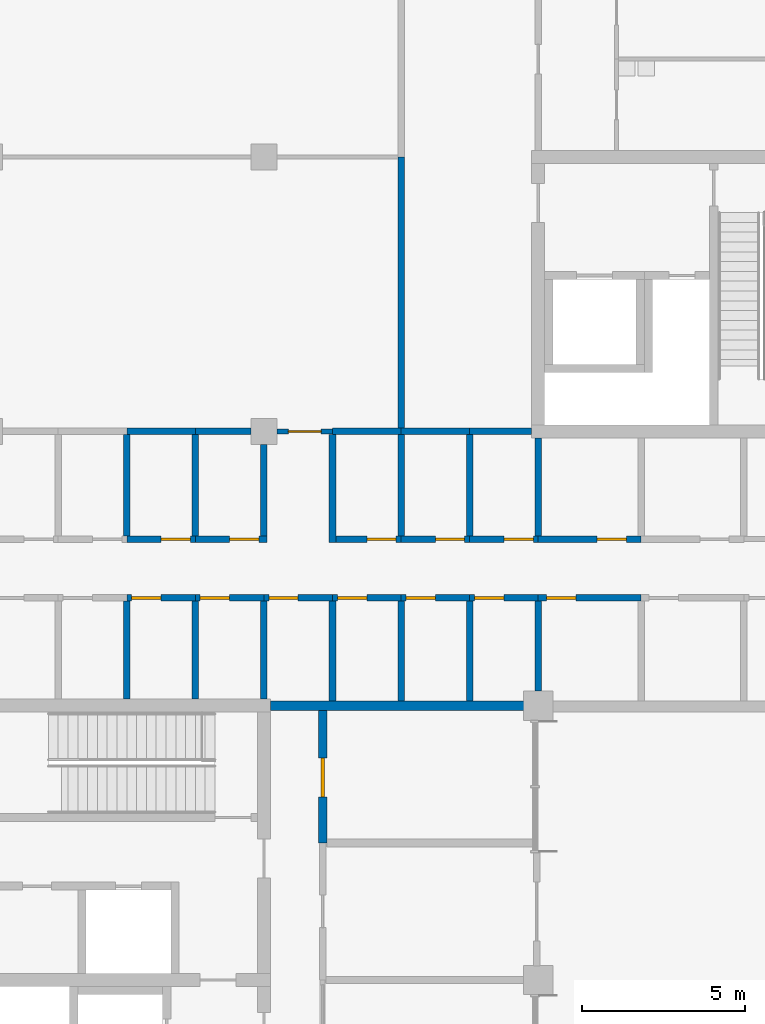
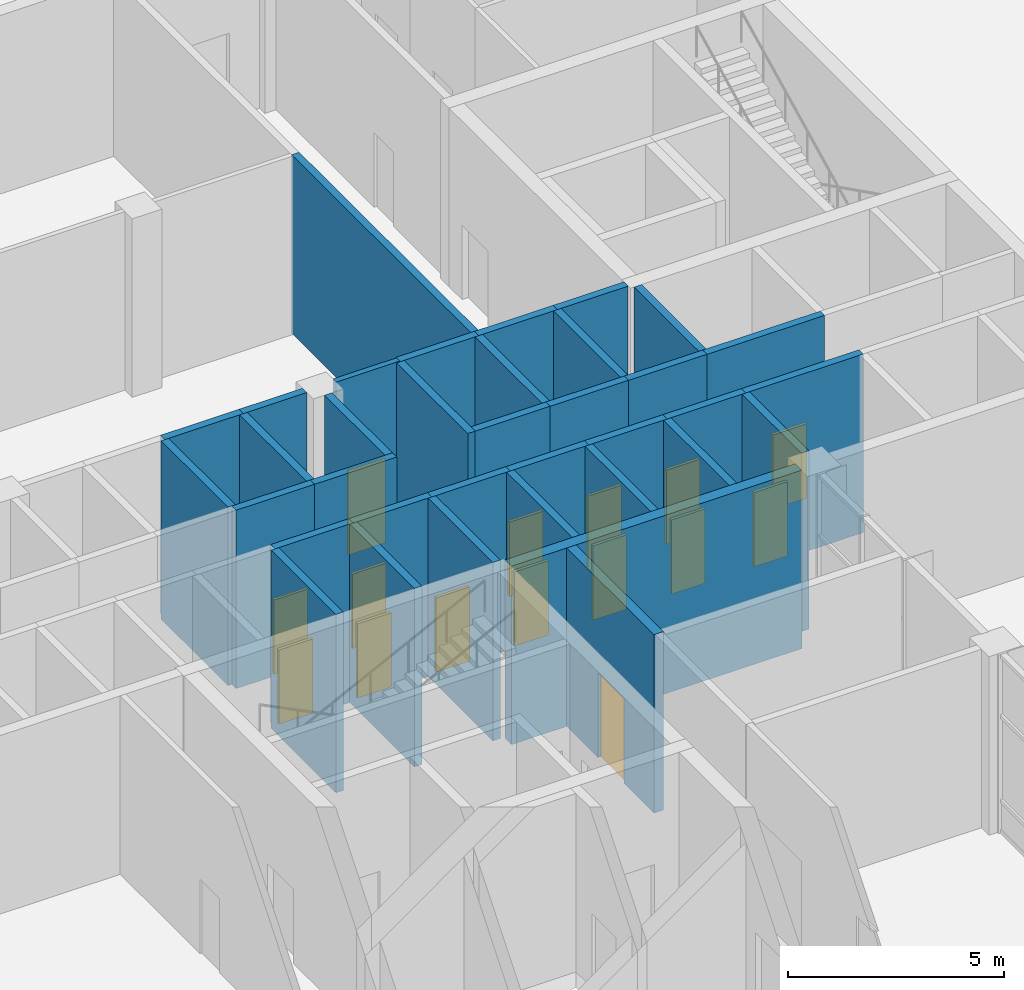
# One storey, part 48 of 76: 36 walls, 15 doors, 15 openings.
"""IFC4 building model written with IfcOpenShell, lengths in metres."""

from ifc_helpers import new_model, si_unit, direction, frame, frame_2d, origin, place, context, subcontext, project, spatial, rectangle, extrude, material, layer, layer_set, type_object, element, fill, save


model = new_model("IFC4")

# Units and contexts
model_context = context("Model", 3, precision=1e-05, world=origin(), true_north=direction((0.0, 1.0)))
body_context = subcontext(model_context, "Body", "Model", "MODEL_VIEW")
ifc_project = project(units=[si_unit("LENGTHUNIT", "METRE"), si_unit("AREAUNIT", "SQUARE_METRE"), si_unit("VOLUMEUNIT", "CUBIC_METRE"), si_unit("PLANEANGLEUNIT", "RADIAN"), si_unit("MASSUNIT", "GRAM", prefix="KILO")], contexts=[model_context])

# Site, building, storey
site_placement = place(None, origin())
site = spatial("IfcSite", under=ifc_project, at=site_placement, CompositionType="ELEMENT")
building_placement = place(site_placement, origin())
building = spatial("IfcBuilding", under=site, at=building_placement, Name="Hlaing Beacon Police Headquarters", CompositionType="ELEMENT")
storey_placement = place(building_placement, origin())
storey = spatial("IfcBuildingStorey", under=building, at=storey_placement, Name="L00", CompositionType="ELEMENT", Elevation=0.0)

# Wall
ifc_material_1 = material(Name="Concrete C40/50", Category="concrete")
ifc_layer_1 = layer(ifc_material_1, 0.300048828125)
ifc_layer_set_1 = layer_set([ifc_layer_1], Name="Concrete C40/50")
wall_type_1 = type_object("IfcWallType", Name="Compartment wall 300", PredefinedType="SOLIDWALL", material=ifc_layer_set_1)
wall_1_placement = place(storey_placement, frame((125.570068359375, 67.199951171875, 0.0), z_axis=(0.0, 0.0, 1.0), x_axis=(-1.0, 0.0, 0.0)))
element("IfcWall", 1, at=wall_1_placement, inside=storey, type_object=wall_type_1, Name="Compartment wall L00 N058", PredefinedType="SOLIDWALL", context=body_context, shape_type="SweptSolid", body=[
    extrude(rectangle(XDim=7.77001953125, YDim=0.300048828125, at=frame_2d((3.885009765625, 0.0))), origin(), (0.0, 0.0, 1.0), 5.050048828125),
])

# Wall, opening, door
ifc_material_2 = material(Name="Gypsum board partition")
ifc_layer_2 = layer(ifc_material_2, 0.14990234375)
ifc_layer_set_2 = layer_set([ifc_layer_2], Name="Gypsum board partition")
wall_type_2 = type_object("IfcWallType", Name="Corridor wall EI 30 150", PredefinedType="PARTITIONING", material=ifc_layer_set_2)
wall_2_placement = place(storey_placement, frame((118.0, 75.60009765625, 0.0), z_axis=(0.0, 0.0, 1.0), x_axis=(1.0, 0.0, 0.0)))
wall_2 = element("IfcWall", 2, at=wall_2_placement, inside=storey, type_object=wall_type_2, Name="Corridor wall EI 30 150", PredefinedType="PARTITIONING", context=body_context, shape_type="SweptSolid", body=[
    extrude(rectangle(XDim=1.699951171875, YDim=0.14990234375, at=frame_2d((0.85009765625, 0.0))), origin(), (0.0, 0.0, 1.0), 5.050048828125),
])
opening_1_placement = place(wall_2_placement, frame((0.35009765625, 0.0, 0.0)))
opening_1 = element("IfcOpeningElement", 3, at=opening_1_placement, cuts=wall_2, Name="Opening L00-076", PredefinedType="OPENING", context=body_context, shape_type="SweptSolid", body=[
    extrude(rectangle(XDim=1.0, YDim=2.39990234375, at=frame_2d((0.5, 1.199951171875))), frame((0.0, 0.0849609375, 0.0), z_axis=(0.0, -1.0, 0.0), x_axis=(1.0, 0.0, 0.0)), (0.0, 0.0, 1.0), 0.169921875),
])
ifc_material_3 = material(Name="Aluminium frame with safety glazing", Category="aluminium")
ifc_layer_3 = layer(ifc_material_3, 0.050048828125)
ifc_layer_set_3 = layer_set([ifc_layer_3], Name="Aluminium frame with safety glazing")
door_type_1 = type_object("IfcDoorType", Name="Fire glazed public door FD30S 1000x2400", OperationType="SINGLE_SWING_LEFT", PredefinedType="DOOR", material=ifc_layer_set_3)
door_1_placement = place(opening_1_placement, origin())
door_1 = element("IfcDoor", 4, at=door_1_placement, inside=storey, type_object=door_type_1, Name="Door Custody Suite Charge Desk and Booking Hall", OperationType="SINGLE_SWING_LEFT", OverallHeight=2.39990234375, OverallWidth=1.0, PredefinedType="DOOR", context=body_context, shape_type="SweptSolid", body=[
    extrude(rectangle(XDim=1.0, YDim=2.39990234375, at=frame_2d((0.5, 1.199951171875))), frame((0.0, 0.02490234375, 0.0), z_axis=(0.0, -1.0, 0.0), x_axis=(1.0, 0.0, 0.0)), (0.0, 0.0, 1.0), 0.050048828125),
])
fill(opening_1, door_1)

# Walls
ifc_material_4 = material(Name="Concrete blockwork 7.5 N/mm2", Category="masonry")
ifc_layer_4 = layer(ifc_material_4, 0.199951171875)
ifc_layer_set_4 = layer_set([ifc_layer_4], Name="Concrete blockwork 7.5 N/mm2")
wall_type_3 = type_object("IfcWallType", Name="Custody wall EI 60 200", PredefinedType="PARTITIONING", material=ifc_layer_set_4)
wall_3_placement = place(storey_placement, frame((113.39990234375, 75.60009765625, 0.0), z_axis=(0.0, 0.0, 1.0), x_axis=(1.0, 0.0, 0.0)))
element("IfcWall", 5, at=wall_3_placement, inside=storey, type_object=wall_type_3, Name="Custody wall EI 60 200", PredefinedType="PARTITIONING", context=body_context, shape_type="SweptSolid", body=[
    extrude(rectangle(XDim=2.10009765625, YDim=0.199951171875, at=frame_2d((1.050048828125, 0.0))), origin(), (0.0, 0.0, 1.0), 5.050048828125),
])
wall_4_placement = place(storey_placement, frame((115.5, 75.60009765625, 0.0), z_axis=(0.0, 0.0, 1.0), x_axis=(1.0, 0.0, 0.0)))
element("IfcWall", 6, at=wall_4_placement, inside=storey, type_object=wall_type_3, Name="Custody wall EI 60 200", PredefinedType="PARTITIONING", context=body_context, shape_type="SweptSolid", body=[
    extrude(rectangle(XDim=1.699951171875, YDim=0.199951171875, at=frame_2d((0.85009765625, 0.0))), origin(), (0.0, 0.0, 1.0), 5.050048828125),
])
wall_5_placement = place(storey_placement, frame((119.699951171875, 75.60009765625, 0.0), z_axis=(0.0, 0.0, 1.0), x_axis=(1.0, 0.0, 0.0)))
element("IfcWall", 7, at=wall_5_placement, inside=storey, type_object=wall_type_3, Name="Custody wall EI 60 200", PredefinedType="PARTITIONING", context=body_context, shape_type="SweptSolid", body=[
    extrude(rectangle(XDim=2.10009765625, YDim=0.199951171875, at=frame_2d((1.050048828125, 0.0))), origin(), (0.0, 0.0, 1.0), 5.050048828125),
])

# Wall, opening, door
wall_6_placement = place(storey_placement, frame((123.89990234375, 72.300048828125, 0.0), z_axis=(0.0, 0.0, 1.0), x_axis=(1.0, 0.0, 0.0)))
wall_6 = element("IfcWall", 8, at=wall_6_placement, inside=storey, type_object=wall_type_3, Name="Custody wall EI 60 200", PredefinedType="PARTITIONING", context=body_context, shape_type="SweptSolid", body=[
    extrude(rectangle(XDim=2.10009765625, YDim=0.199951171875, at=frame_2d((1.050048828125, 0.0))), origin(), (0.0, 0.0, 1.0), 5.050048828125),
])
opening_2_placement = place(wall_6_placement, frame((1.050048828125, 0.0, 0.0)))
opening_2 = element("IfcOpeningElement", 9, at=opening_2_placement, cuts=wall_6, Name="Opening L00-081", PredefinedType="OPENING", context=body_context, shape_type="SweptSolid", body=[
    extrude(rectangle(XDim=0.89990234375, YDim=2.10009765625, at=frame_2d((0.449951171875, 1.050048828125))), frame((0.0, 0.10986328125, 0.0), z_axis=(0.0, -1.0, 0.0), x_axis=(1.0, 0.0, 0.0)), (0.0, 0.0, 1.0), 0.219970703125),
])
ifc_material_5 = material(Name="Steel security door leaf", Category="steel")
ifc_layer_5 = layer(ifc_material_5, 0.080078125)
ifc_layer_set_5 = layer_set([ifc_layer_5], Name="Steel security door leaf")
door_type_2 = type_object("IfcDoorType", Name="Steel cell door FD30 900x2100", OperationType="SINGLE_SWING_LEFT", PredefinedType="DOOR", material=ifc_layer_set_5)
door_2_placement = place(opening_2_placement, origin())
door_2 = element("IfcDoor", 10, at=door_2_placement, inside=storey, type_object=door_type_2, Name="Door Cell 23", OperationType="SINGLE_SWING_LEFT", OverallHeight=2.10009765625, OverallWidth=0.89990234375, PredefinedType="DOOR", context=body_context, shape_type="SweptSolid", body=[
    extrude(rectangle(XDim=0.89990234375, YDim=2.10009765625, at=frame_2d((0.449951171875, 1.050048828125))), frame((0.0, 0.0400390625, 0.0), z_axis=(0.0, -1.0, 0.0), x_axis=(1.0, 0.0, 0.0)), (0.0, 0.0, 1.0), 0.080078125),
])
fill(opening_2, door_2)

wall_7_placement = place(storey_placement, frame((113.39990234375, 72.300048828125, 0.0), z_axis=(0.0, 0.0, 1.0), x_axis=(1.0, 0.0, 0.0)))
wall_7 = element("IfcWall", 11, at=wall_7_placement, inside=storey, type_object=wall_type_3, Name="Custody wall EI 60 200", PredefinedType="PARTITIONING", context=body_context, shape_type="SweptSolid", body=[
    extrude(rectangle(XDim=2.10009765625, YDim=0.199951171875, at=frame_2d((1.050048828125, 0.0))), origin(), (0.0, 0.0, 1.0), 5.050048828125),
])
opening_3_placement = place(wall_7_placement, frame((1.050048828125, 0.0, 0.0)))
opening_3 = element("IfcOpeningElement", 12, at=opening_3_placement, cuts=wall_7, Name="Opening L00-086", PredefinedType="OPENING", context=body_context, shape_type="SweptSolid", body=[
    extrude(rectangle(XDim=0.89990234375, YDim=2.10009765625, at=frame_2d((0.449951171875, 1.050048828125))), frame((0.0, 0.10986328125, 0.0), z_axis=(0.0, -1.0, 0.0), x_axis=(1.0, 0.0, 0.0)), (0.0, 0.0, 1.0), 0.219970703125),
])
door_3_placement = place(opening_3_placement, origin())
door_3 = element("IfcDoor", 13, at=door_3_placement, inside=storey, type_object=door_type_2, Name="Door Cell 19", OperationType="SINGLE_SWING_LEFT", OverallHeight=2.10009765625, OverallWidth=0.89990234375, PredefinedType="DOOR", context=body_context, shape_type="SweptSolid", body=[
    extrude(rectangle(XDim=0.89990234375, YDim=2.10009765625, at=frame_2d((0.449951171875, 1.050048828125))), frame((0.0, 0.0400390625, 0.0), z_axis=(0.0, -1.0, 0.0), x_axis=(1.0, 0.0, 0.0)), (0.0, 0.0, 1.0), 0.080078125),
])
fill(opening_3, door_3)

wall_8_placement = place(storey_placement, frame((115.5, 72.300048828125, 0.0), z_axis=(0.0, 0.0, 1.0), x_axis=(1.0, 0.0, 0.0)))
wall_8 = element("IfcWall", 14, at=wall_8_placement, inside=storey, type_object=wall_type_3, Name="Custody wall EI 60 200", PredefinedType="PARTITIONING", context=body_context, shape_type="SweptSolid", body=[
    extrude(rectangle(XDim=2.199951171875, YDim=0.199951171875, at=frame_2d((1.10009765625, 0.0))), origin(), (0.0, 0.0, 1.0), 5.050048828125),
])
opening_4_placement = place(wall_8_placement, frame((1.050048828125, 0.0, 0.0)))
opening_4 = element("IfcOpeningElement", 15, at=opening_4_placement, cuts=wall_8, Name="Opening L00-087", PredefinedType="OPENING", context=body_context, shape_type="SweptSolid", body=[
    extrude(rectangle(XDim=0.89990234375, YDim=2.10009765625, at=frame_2d((0.449951171875, 1.050048828125))), frame((0.0, 0.10986328125, 0.0), z_axis=(0.0, -1.0, 0.0), x_axis=(1.0, 0.0, 0.0)), (0.0, 0.0, 1.0), 0.219970703125),
])
door_4_placement = place(opening_4_placement, origin())
door_4 = element("IfcDoor", 16, at=door_4_placement, inside=storey, type_object=door_type_2, Name="Door Cell 20", OperationType="SINGLE_SWING_LEFT", OverallHeight=2.10009765625, OverallWidth=0.89990234375, PredefinedType="DOOR", context=body_context, shape_type="SweptSolid", body=[
    extrude(rectangle(XDim=0.89990234375, YDim=2.10009765625, at=frame_2d((0.449951171875, 1.050048828125))), frame((0.0, 0.0400390625, 0.0), z_axis=(0.0, -1.0, 0.0), x_axis=(1.0, 0.0, 0.0)), (0.0, 0.0, 1.0), 0.080078125),
])
fill(opening_4, door_4)

# Walls
wall_9_placement = place(storey_placement, frame((117.60009765625, 72.39990234375, 0.0), z_axis=(0.0, 0.0, 1.0), x_axis=(0.0, 1.0, 0.0)))
element("IfcWall", 17, at=wall_9_placement, inside=storey, type_object=wall_type_3, Name="Custody wall EI 60 200", PredefinedType="PARTITIONING", context=body_context, shape_type="SweptSolid", body=[
    extrude(rectangle(XDim=2.800048828125, YDim=0.199951171875, at=frame_2d((1.39990234375, 0.0))), origin(), (0.0, 0.0, 1.0), 5.050048828125),
])
wall_10_placement = place(storey_placement, frame((119.699951171875, 72.199951171875, 0.0), z_axis=(0.0, 0.0, 1.0), x_axis=(0.0, 1.0, 0.0)))
element("IfcWall", 18, at=wall_10_placement, inside=storey, type_object=wall_type_3, Name="Custody wall EI 60 200", PredefinedType="PARTITIONING", context=body_context, shape_type="SweptSolid", body=[
    extrude(rectangle(XDim=3.300048828125, YDim=0.199951171875, at=frame_2d((1.64990234375, 0.0))), origin(), (0.0, 0.0, 1.0), 5.050048828125),
])

# Wall, opening, door
wall_11_placement = place(storey_placement, frame((119.800048828125, 72.300048828125, 0.0), z_axis=(0.0, 0.0, 1.0), x_axis=(1.0, 0.0, 0.0)))
wall_11 = element("IfcWall", 19, at=wall_11_placement, inside=storey, type_object=wall_type_3, Name="Custody wall EI 60 200", PredefinedType="PARTITIONING", context=body_context, shape_type="SweptSolid", body=[
    extrude(rectangle(XDim=2.0, YDim=0.199951171875, at=frame_2d((1.0, 0.0))), origin(), (0.0, 0.0, 1.0), 5.050048828125),
])
opening_5_placement = place(wall_11_placement, frame((0.949951171875, 0.0, 0.0)))
opening_5 = element("IfcOpeningElement", 20, at=opening_5_placement, cuts=wall_11, Name="Opening L00-088", PredefinedType="OPENING", context=body_context, shape_type="SweptSolid", body=[
    extrude(rectangle(XDim=0.89990234375, YDim=2.10009765625, at=frame_2d((0.449951171875, 1.050048828125))), frame((0.0, 0.10986328125, 0.0), z_axis=(0.0, -1.0, 0.0), x_axis=(1.0, 0.0, 0.0)), (0.0, 0.0, 1.0), 0.219970703125),
])
door_5_placement = place(opening_5_placement, origin())
door_5 = element("IfcDoor", 21, at=door_5_placement, inside=storey, type_object=door_type_2, Name="Door Cell 21", OperationType="SINGLE_SWING_LEFT", OverallHeight=2.10009765625, OverallWidth=0.89990234375, PredefinedType="DOOR", context=body_context, shape_type="SweptSolid", body=[
    extrude(rectangle(XDim=0.89990234375, YDim=2.10009765625, at=frame_2d((0.449951171875, 1.050048828125))), frame((0.0, 0.0400390625, 0.0), z_axis=(0.0, -1.0, 0.0), x_axis=(1.0, 0.0, 0.0)), (0.0, 0.0, 1.0), 0.080078125),
])
fill(opening_5, door_5)

wall_12_placement = place(storey_placement, frame((121.800048828125, 72.300048828125, 0.0), z_axis=(0.0, 0.0, 1.0), x_axis=(1.0, 0.0, 0.0)))
wall_12 = element("IfcWall", 22, at=wall_12_placement, inside=storey, type_object=wall_type_3, Name="Custody wall EI 60 200", PredefinedType="PARTITIONING", context=body_context, shape_type="SweptSolid", body=[
    extrude(rectangle(XDim=2.099853515625, YDim=0.199951171875, at=frame_2d((1.0498046875, 0.0))), origin(), (0.0, 0.0, 1.0), 5.050048828125),
])
opening_6_placement = place(wall_12_placement, frame((1.050048828125, 0.0, 0.0)))
opening_6 = element("IfcOpeningElement", 23, at=opening_6_placement, cuts=wall_12, Name="Opening L00-089", PredefinedType="OPENING", context=body_context, shape_type="SweptSolid", body=[
    extrude(rectangle(XDim=0.89990234375, YDim=2.10009765625, at=frame_2d((0.449951171875, 1.050048828125))), frame((0.0, 0.10986328125, 0.0), z_axis=(0.0, -1.0, 0.0), x_axis=(1.0, 0.0, 0.0)), (0.0, 0.0, 1.0), 0.219970703125),
])
door_6_placement = place(opening_6_placement, origin())
door_6 = element("IfcDoor", 24, at=door_6_placement, inside=storey, type_object=door_type_2, Name="Door Cell 22", OperationType="SINGLE_SWING_LEFT", OverallHeight=2.10009765625, OverallWidth=0.89990234375, PredefinedType="DOOR", context=body_context, shape_type="SweptSolid", body=[
    extrude(rectangle(XDim=0.89990234375, YDim=2.10009765625, at=frame_2d((0.449951171875, 1.050048828125))), frame((0.0, 0.0400390625, 0.0), z_axis=(0.0, -1.0, 0.0), x_axis=(1.0, 0.0, 0.0)), (0.0, 0.0, 1.0), 0.080078125),
])
fill(opening_6, door_6)

wall_13_placement = place(storey_placement, frame((121.800048828125, 70.5, 0.0), z_axis=(0.0, 0.0, 1.0), x_axis=(1.0, 0.0, 0.0)))
wall_13 = element("IfcWall", 25, at=wall_13_placement, inside=storey, type_object=wall_type_3, Name="Custody wall EI 60 200", PredefinedType="PARTITIONING", context=body_context, shape_type="SweptSolid", body=[
    extrude(rectangle(XDim=2.099853515625, YDim=0.199951171875, at=frame_2d((1.0498046875, 0.0))), origin(), (0.0, 0.0, 1.0), 5.050048828125),
])
opening_7_placement = place(wall_13_placement, frame((0.14990234375, 0.0, 0.0)))
opening_7 = element("IfcOpeningElement", 26, at=opening_7_placement, cuts=wall_13, Name="Opening L00-092", PredefinedType="OPENING", context=body_context, shape_type="SweptSolid", body=[
    extrude(rectangle(XDim=0.89990234375, YDim=2.10009765625, at=frame_2d((0.449951171875, 1.050048828125))), frame((0.0, 0.10986328125, 0.0), z_axis=(0.0, -1.0, 0.0), x_axis=(1.0, 0.0, 0.0)), (0.0, 0.0, 1.0), 0.219970703125),
])
door_7_placement = place(opening_7_placement, frame((0.89990234375, 0.0, 0.0), z_axis=(0.0, 0.0, 1.0), x_axis=(-1.0, 0.0, 0.0)))
door_7 = element("IfcDoor", 27, at=door_7_placement, inside=storey, type_object=door_type_2, Name="Door Cell 11", OperationType="SINGLE_SWING_LEFT", OverallHeight=2.10009765625, OverallWidth=0.89990234375, PredefinedType="DOOR", context=body_context, shape_type="SweptSolid", body=[
    extrude(rectangle(XDim=0.89990234375, YDim=2.10009765625, at=frame_2d((0.449951171875, 1.050048828125))), frame((0.0, 0.0400390625, 0.0), z_axis=(0.0, -1.0, 0.0), x_axis=(1.0, 0.0, 0.0)), (0.0, 0.0, 1.0), 0.080078125),
])
fill(opening_7, door_7)

wall_14_placement = place(storey_placement, frame((123.89990234375, 70.5, 0.0), z_axis=(0.0, 0.0, 1.0), x_axis=(1.0, 0.0, 0.0)))
wall_14 = element("IfcWall", 28, at=wall_14_placement, inside=storey, type_object=wall_type_3, Name="Custody wall EI 60 200", PredefinedType="PARTITIONING", context=body_context, shape_type="SweptSolid", body=[
    extrude(rectangle(XDim=2.10009765625, YDim=0.199951171875, at=frame_2d((1.050048828125, 0.0))), origin(), (0.0, 0.0, 1.0), 5.050048828125),
])
opening_8_placement = place(wall_14_placement, frame((0.14990234375, 0.0, 0.0)))
opening_8 = element("IfcOpeningElement", 29, at=opening_8_placement, cuts=wall_14, Name="Opening L00-093", PredefinedType="OPENING", context=body_context, shape_type="SweptSolid", body=[
    extrude(rectangle(XDim=0.89990234375, YDim=2.10009765625, at=frame_2d((0.449951171875, 1.050048828125))), frame((0.0, 0.10986328125, 0.0), z_axis=(0.0, -1.0, 0.0), x_axis=(1.0, 0.0, 0.0)), (0.0, 0.0, 1.0), 0.219970703125),
])
door_8_placement = place(opening_8_placement, frame((0.89990234375, 0.0, 0.0), z_axis=(0.0, 0.0, 1.0), x_axis=(-1.0, 0.0, 0.0)))
door_8 = element("IfcDoor", 30, at=door_8_placement, inside=storey, type_object=door_type_2, Name="Door Cell 12", OperationType="SINGLE_SWING_LEFT", OverallHeight=2.10009765625, OverallWidth=0.89990234375, PredefinedType="DOOR", context=body_context, shape_type="SweptSolid", body=[
    extrude(rectangle(XDim=0.89990234375, YDim=2.10009765625, at=frame_2d((0.449951171875, 1.050048828125))), frame((0.0, 0.0400390625, 0.0), z_axis=(0.0, -1.0, 0.0), x_axis=(1.0, 0.0, 0.0)), (0.0, 0.0, 1.0), 0.080078125),
])
fill(opening_8, door_8)

wall_15_placement = place(storey_placement, frame((113.39990234375, 70.5, 0.0), z_axis=(0.0, 0.0, 1.0), x_axis=(1.0, 0.0, 0.0)))
wall_15 = element("IfcWall", 31, at=wall_15_placement, inside=storey, type_object=wall_type_3, Name="Custody wall EI 60 200", PredefinedType="PARTITIONING", context=body_context, shape_type="SweptSolid", body=[
    extrude(rectangle(XDim=2.10009765625, YDim=0.199951171875, at=frame_2d((1.050048828125, 0.0))), origin(), (0.0, 0.0, 1.0), 5.050048828125),
])
opening_9_placement = place(wall_15_placement, frame((0.14990234375, 0.0, 0.0)))
opening_9 = element("IfcOpeningElement", 32, at=opening_9_placement, cuts=wall_15, Name="Opening L00-098", PredefinedType="OPENING", context=body_context, shape_type="SweptSolid", body=[
    extrude(rectangle(XDim=0.89990234375, YDim=2.10009765625, at=frame_2d((0.449951171875, 1.050048828125))), frame((0.0, 0.10986328125, 0.0), z_axis=(0.0, -1.0, 0.0), x_axis=(1.0, 0.0, 0.0)), (0.0, 0.0, 1.0), 0.219970703125),
])
door_9_placement = place(opening_9_placement, frame((0.89990234375, 0.0, 0.0), z_axis=(0.0, 0.0, 1.0), x_axis=(-1.0, 0.0, 0.0)))
door_9 = element("IfcDoor", 33, at=door_9_placement, inside=storey, type_object=door_type_2, Name="Door Cell 07", OperationType="SINGLE_SWING_LEFT", OverallHeight=2.10009765625, OverallWidth=0.89990234375, PredefinedType="DOOR", context=body_context, shape_type="SweptSolid", body=[
    extrude(rectangle(XDim=0.89990234375, YDim=2.10009765625, at=frame_2d((0.449951171875, 1.050048828125))), frame((0.0, 0.0400390625, 0.0), z_axis=(0.0, -1.0, 0.0), x_axis=(1.0, 0.0, 0.0)), (0.0, 0.0, 1.0), 0.080078125),
])
fill(opening_9, door_9)

wall_16_placement = place(storey_placement, frame((115.5, 70.5, 0.0), z_axis=(0.0, 0.0, 1.0), x_axis=(1.0, 0.0, 0.0)))
wall_16 = element("IfcWall", 34, at=wall_16_placement, inside=storey, type_object=wall_type_3, Name="Custody wall EI 60 200", PredefinedType="PARTITIONING", context=body_context, shape_type="SweptSolid", body=[
    extrude(rectangle(XDim=2.10009765625, YDim=0.199951171875, at=frame_2d((1.050048828125, 0.0))), origin(), (0.0, 0.0, 1.0), 5.050048828125),
])
opening_10_placement = place(wall_16_placement, frame((0.14990234375, 0.0, 0.0)))
opening_10 = element("IfcOpeningElement", 35, at=opening_10_placement, cuts=wall_16, Name="Opening L00-099", PredefinedType="OPENING", context=body_context, shape_type="SweptSolid", body=[
    extrude(rectangle(XDim=0.89990234375, YDim=2.10009765625, at=frame_2d((0.449951171875, 1.050048828125))), frame((0.0, 0.10986328125, 0.0), z_axis=(0.0, -1.0, 0.0), x_axis=(1.0, 0.0, 0.0)), (0.0, 0.0, 1.0), 0.219970703125),
])
door_10_placement = place(opening_10_placement, frame((0.89990234375, 0.0, 0.0), z_axis=(0.0, 0.0, 1.0), x_axis=(-1.0, 0.0, 0.0)))
door_10 = element("IfcDoor", 36, at=door_10_placement, inside=storey, type_object=door_type_2, Name="Door Cell 08", OperationType="SINGLE_SWING_LEFT", OverallHeight=2.10009765625, OverallWidth=0.89990234375, PredefinedType="DOOR", context=body_context, shape_type="SweptSolid", body=[
    extrude(rectangle(XDim=0.89990234375, YDim=2.10009765625, at=frame_2d((0.449951171875, 1.050048828125))), frame((0.0, 0.0400390625, 0.0), z_axis=(0.0, -1.0, 0.0), x_axis=(1.0, 0.0, 0.0)), (0.0, 0.0, 1.0), 0.080078125),
])
fill(opening_10, door_10)

wall_17_placement = place(storey_placement, frame((117.60009765625, 70.5, 0.0), z_axis=(0.0, 0.0, 1.0), x_axis=(1.0, 0.0, 0.0)))
wall_17 = element("IfcWall", 37, at=wall_17_placement, inside=storey, type_object=wall_type_3, Name="Custody wall EI 60 200", PredefinedType="PARTITIONING", context=body_context, shape_type="SweptSolid", body=[
    extrude(rectangle(XDim=2.099853515625, YDim=0.199951171875, at=frame_2d((1.0498046875, 0.0))), origin(), (0.0, 0.0, 1.0), 5.050048828125),
])
opening_11_placement = place(wall_17_placement, frame((0.14990234375, 0.0, 0.0)))
opening_11 = element("IfcOpeningElement", 38, at=opening_11_placement, cuts=wall_17, Name="Opening L00-100", PredefinedType="OPENING", context=body_context, shape_type="SweptSolid", body=[
    extrude(rectangle(XDim=0.89990234375, YDim=2.10009765625, at=frame_2d((0.449951171875, 1.050048828125))), frame((0.0, 0.10986328125, 0.0), z_axis=(0.0, -1.0, 0.0), x_axis=(1.0, 0.0, 0.0)), (0.0, 0.0, 1.0), 0.219970703125),
])
door_11_placement = place(opening_11_placement, origin())
door_11 = element("IfcDoor", 39, at=door_11_placement, inside=storey, type_object=door_type_2, Name="Door Cell 09", OperationType="SINGLE_SWING_RIGHT", OverallHeight=2.10009765625, OverallWidth=0.89990234375, PredefinedType="DOOR", context=body_context, shape_type="SweptSolid", body=[
    extrude(rectangle(XDim=0.89990234375, YDim=2.10009765625, at=frame_2d((0.449951171875, 1.050048828125))), frame((0.0, 0.0400390625, 0.0), z_axis=(0.0, -1.0, 0.0), x_axis=(1.0, 0.0, 0.0)), (0.0, 0.0, 1.0), 0.080078125),
])
fill(opening_11, door_11)

wall_18_placement = place(storey_placement, frame((119.699951171875, 70.5, 0.0), z_axis=(0.0, 0.0, 1.0), x_axis=(1.0, 0.0, 0.0)))
wall_18 = element("IfcWall", 40, at=wall_18_placement, inside=storey, type_object=wall_type_3, Name="Custody wall EI 60 200", PredefinedType="PARTITIONING", context=body_context, shape_type="SweptSolid", body=[
    extrude(rectangle(XDim=2.10009765625, YDim=0.199951171875, at=frame_2d((1.050048828125, 0.0))), origin(), (0.0, 0.0, 1.0), 5.050048828125),
])
opening_12_placement = place(wall_18_placement, frame((0.14990234375, 0.0, 0.0)))
opening_12 = element("IfcOpeningElement", 41, at=opening_12_placement, cuts=wall_18, Name="Opening L00-101", PredefinedType="OPENING", context=body_context, shape_type="SweptSolid", body=[
    extrude(rectangle(XDim=0.89990234375, YDim=2.10009765625, at=frame_2d((0.449951171875, 1.050048828125))), frame((0.0, 0.10986328125, 0.0), z_axis=(0.0, -1.0, 0.0), x_axis=(1.0, 0.0, 0.0)), (0.0, 0.0, 1.0), 0.219970703125),
])
door_12_placement = place(opening_12_placement, frame((0.89990234375, 0.0, 0.0), z_axis=(0.0, 0.0, 1.0), x_axis=(-1.0, 0.0, 0.0)))
door_12 = element("IfcDoor", 42, at=door_12_placement, inside=storey, type_object=door_type_2, Name="Door Cell 10", OperationType="SINGLE_SWING_LEFT", OverallHeight=2.10009765625, OverallWidth=0.89990234375, PredefinedType="DOOR", context=body_context, shape_type="SweptSolid", body=[
    extrude(rectangle(XDim=0.89990234375, YDim=2.10009765625, at=frame_2d((0.449951171875, 1.050048828125))), frame((0.0, 0.0400390625, 0.0), z_axis=(0.0, -1.0, 0.0), x_axis=(1.0, 0.0, 0.0)), (0.0, 0.0, 1.0), 0.080078125),
])
fill(opening_12, door_12)

wall_19_placement = place(storey_placement, frame((126.0, 72.300048828125, 0.0), z_axis=(0.0, 0.0, 1.0), x_axis=(1.0, 0.0, 0.0)))
wall_19 = element("IfcWall", 43, at=wall_19_placement, inside=storey, type_object=wall_type_3, Name="Custody wall EI 60 200", PredefinedType="PARTITIONING", context=body_context, shape_type="SweptSolid", body=[
    extrude(rectangle(XDim=3.14990234375, YDim=0.199951171875, at=frame_2d((1.574951171875, 0.0))), origin(), (0.0, 0.0, 1.0), 5.050048828125),
])
opening_13_placement = place(wall_19_placement, frame((1.800048828125, 0.0, 0.0)))
opening_13 = element("IfcOpeningElement", 44, at=opening_13_placement, cuts=wall_19, Name="Opening L00-103", PredefinedType="OPENING", context=body_context, shape_type="SweptSolid", body=[
    extrude(rectangle(XDim=0.89990234375, YDim=2.10009765625, at=frame_2d((0.449951171875, 1.050048828125))), frame((0.0, 0.10986328125, 0.0), z_axis=(0.0, -1.0, 0.0), x_axis=(1.0, 0.0, 0.0)), (0.0, 0.0, 1.0), 0.219970703125),
])
door_13_placement = place(opening_13_placement, origin())
door_13 = element("IfcDoor", 45, at=door_13_placement, inside=storey, type_object=door_type_2, Name="Door Juvenile Cell 3", OperationType="SINGLE_SWING_LEFT", OverallHeight=2.10009765625, OverallWidth=0.89990234375, PredefinedType="DOOR", context=body_context, shape_type="SweptSolid", body=[
    extrude(rectangle(XDim=0.89990234375, YDim=2.10009765625, at=frame_2d((0.449951171875, 1.050048828125))), frame((0.0, 0.0400390625, 0.0), z_axis=(0.0, -1.0, 0.0), x_axis=(1.0, 0.0, 0.0)), (0.0, 0.0, 1.0), 0.080078125),
])
fill(opening_13, door_13)

wall_20_placement = place(storey_placement, frame((126.0, 70.5, 0.0), z_axis=(0.0, 0.0, 1.0), x_axis=(1.0, 0.0, 0.0)))
wall_20 = element("IfcWall", 46, at=wall_20_placement, inside=storey, type_object=wall_type_3, Name="Custody wall EI 60 200", PredefinedType="PARTITIONING", context=body_context, shape_type="SweptSolid", body=[
    extrude(rectangle(XDim=3.14990234375, YDim=0.199951171875, at=frame_2d((1.574951171875, 0.0))), origin(), (0.0, 0.0, 1.0), 5.050048828125),
])
opening_14_placement = place(wall_20_placement, frame((0.25, 0.0, 0.0)))
opening_14 = element("IfcOpeningElement", 47, at=opening_14_placement, cuts=wall_20, Name="Opening L00-105", PredefinedType="OPENING", context=body_context, shape_type="SweptSolid", body=[
    extrude(rectangle(XDim=0.89990234375, YDim=2.10009765625, at=frame_2d((0.449951171875, 1.050048828125))), frame((0.0, 0.10986328125, 0.0), z_axis=(0.0, -1.0, 0.0), x_axis=(1.0, 0.0, 0.0)), (0.0, 0.0, 1.0), 0.219970703125),
])
door_14_placement = place(opening_14_placement, frame((0.89990234375, 0.0, 0.0), z_axis=(0.0, 0.0, 1.0), x_axis=(-1.0, 0.0, 0.0)))
door_14 = element("IfcDoor", 48, at=door_14_placement, inside=storey, type_object=door_type_2, Name="Door Juvenile Cell 1", OperationType="SINGLE_SWING_LEFT", OverallHeight=2.10009765625, OverallWidth=0.89990234375, PredefinedType="DOOR", context=body_context, shape_type="SweptSolid", body=[
    extrude(rectangle(XDim=0.89990234375, YDim=2.10009765625, at=frame_2d((0.449951171875, 1.050048828125))), frame((0.0, 0.0400390625, 0.0), z_axis=(0.0, -1.0, 0.0), x_axis=(1.0, 0.0, 0.0)), (0.0, 0.0, 1.0), 0.080078125),
])
fill(opening_14, door_14)

# Walls
wall_21_placement = place(storey_placement, frame((123.89990234375, 72.39990234375, 0.0), z_axis=(0.0, 0.0, 1.0), x_axis=(0.0, 1.0, 0.0)))
element("IfcWall", 49, at=wall_21_placement, inside=storey, type_object=wall_type_3, Name="Custody wall EI 60 200", PredefinedType="PARTITIONING", context=body_context, shape_type="SweptSolid", body=[
    extrude(rectangle(XDim=3.10009765625, YDim=0.199951171875, at=frame_2d((1.550048828125, 0.0))), origin(), (0.0, 0.0, 1.0), 5.050048828125),
])
wall_22_placement = place(storey_placement, frame((126.0, 72.39990234375, 0.0), z_axis=(0.0, 0.0, 1.0), x_axis=(0.0, 1.0, 0.0)))
element("IfcWall", 50, at=wall_22_placement, inside=storey, type_object=wall_type_3, Name="Custody wall EI 60 200", PredefinedType="PARTITIONING", context=body_context, shape_type="SweptSolid", body=[
    extrude(rectangle(XDim=3.0, YDim=0.199951171875, at=frame_2d((1.5, 0.0))), origin(), (0.0, 0.0, 1.0), 5.050048828125),
])
for number, where, z_axis, x_axis, name in (
    (51, (113.39990234375, 72.39990234375, 0.0), (0.0, 0.0, 1.0), (0.0, 1.0, 0.0), "Custody wall EI 60 200"),
    (52, (115.5, 72.39990234375, 0.0), (0.0, 0.0, 1.0), (0.0, 1.0, 0.0), "Custody wall EI 60 200"),
    (53, (121.800048828125, 72.39990234375, 0.0), (0.0, 0.0, 1.0), (0.0, 1.0, 0.0), "Custody wall EI 60 200"),
):
    element("IfcWall", number, at=place(storey_placement, frame(where, z_axis=z_axis, x_axis=x_axis)), inside=storey, type_object=wall_type_3, Name=name, PredefinedType="PARTITIONING", context=body_context, shape_type="SweptSolid", body=[
        extrude(rectangle(XDim=3.10009765625, YDim=0.199951171875, at=frame_2d((1.550048828125, 0.0))), origin(), (0.0, 0.0, 1.0), 5.050048828125),
    ])
for number, where, z_axis, x_axis, name in (
    (54, (123.89990234375, 67.35009765625, 0.0), (0.0, 0.0, 1.0), (0.0, 1.0, 0.0), "Custody wall EI 60 200"),
    (55, (121.800048828125, 67.35009765625, 0.0), (0.0, 0.0, 1.0), (0.0, 1.0, 0.0), "Custody wall EI 60 200"),
):
    element("IfcWall", number, at=place(storey_placement, frame(where, z_axis=z_axis, x_axis=x_axis)), inside=storey, type_object=wall_type_3, Name=name, PredefinedType="PARTITIONING", context=body_context, shape_type="SweptSolid", body=[
        extrude(rectangle(XDim=3.0498046875, YDim=0.199951171875, at=frame_2d((1.52490234375, 0.0))), origin(), (0.0, 0.0, 1.0), 5.050048828125),
    ])
wall_23_placement = place(storey_placement, frame((126.0, 67.64990234375, 0.0), z_axis=(0.0, 0.0, 1.0), x_axis=(0.0, 1.0, 0.0)))
element("IfcWall", 56, at=wall_23_placement, inside=storey, type_object=wall_type_3, Name="Custody wall EI 60 200", PredefinedType="PARTITIONING", context=body_context, shape_type="SweptSolid", body=[
    extrude(rectangle(XDim=2.75, YDim=0.199951171875, at=frame_2d((1.375, 0.0))), origin(), (0.0, 0.0, 1.0), 5.050048828125),
])
for number, where, z_axis, x_axis, name in (
    (57, (113.39990234375, 67.39990234375, 0.0), (0.0, 0.0, 1.0), (0.0, 1.0, 0.0), "Custody wall EI 60 200"),
    (58, (115.5, 67.39990234375, 0.0), (0.0, 0.0, 1.0), (0.0, 1.0, 0.0), "Custody wall EI 60 200"),
    (59, (117.60009765625, 67.39990234375, 0.0), (0.0, 0.0, 1.0), (0.0, 1.0, 0.0), "Custody wall EI 60 200"),
):
    element("IfcWall", number, at=place(storey_placement, frame(where, z_axis=z_axis, x_axis=x_axis)), inside=storey, type_object=wall_type_3, Name=name, PredefinedType="PARTITIONING", context=body_context, shape_type="SweptSolid", body=[
        extrude(rectangle(XDim=3.0, YDim=0.199951171875, at=frame_2d((1.5, 0.0))), origin(), (0.0, 0.0, 1.0), 5.050048828125),
    ])
wall_24_placement = place(storey_placement, frame((119.699951171875, 67.35009765625, 0.0), z_axis=(0.0, 0.0, 1.0), x_axis=(0.0, 1.0, 0.0)))
element("IfcWall", 60, at=wall_24_placement, inside=storey, type_object=wall_type_3, Name="Custody wall EI 60 200", PredefinedType="PARTITIONING", context=body_context, shape_type="SweptSolid", body=[
    extrude(rectangle(XDim=3.0498046875, YDim=0.199951171875, at=frame_2d((1.52490234375, 0.0))), origin(), (0.0, 0.0, 1.0), 5.050048828125),
])
ifc_material_6 = material(Name="Concrete blockwork 7.5 N/mm2", Category="masonry")
ifc_layer_6 = layer(ifc_material_6, 0.199951171875)
ifc_layer_set_6 = layer_set([ifc_layer_6], Name="Concrete blockwork 7.5 N/mm2")
wall_type_4 = type_object("IfcWallType", Name="Lobby wall EI 120 200", PredefinedType="PARTITIONING", material=ifc_layer_set_6)
wall_25_placement = place(storey_placement, frame((121.800048828125, 75.699951171875, 0.0), z_axis=(0.0, 0.0, 1.0), x_axis=(0.0, 1.0, 0.0)))
element("IfcWall", 61, at=wall_25_placement, inside=storey, type_object=wall_type_4, Name="Lobby wall EI 120 200", PredefinedType="PARTITIONING", context=body_context, shape_type="SweptSolid", body=[
    extrude(rectangle(XDim=8.300048828125, YDim=0.199951171875, at=frame_2d((4.14990234375, 0.0))), origin(), (0.0, 0.0, 1.0), 5.050048828125),
])
wall_26_placement = place(storey_placement, frame((123.89990234375, 75.60009765625, 0.0), z_axis=(0.0, 0.0, 1.0), x_axis=(1.0, 0.0, 0.0)))
element("IfcWall", 62, at=wall_26_placement, inside=storey, type_object=wall_type_4, Name="Lobby wall EI 120 200", PredefinedType="PARTITIONING", context=body_context, shape_type="SweptSolid", body=[
    extrude(rectangle(XDim=1.900146484375, YDim=0.199951171875, at=frame_2d((0.9501953125, 0.0))), origin(), (0.0, 0.0, 1.0), 5.050048828125),
])
wall_27_placement = place(storey_placement, frame((121.800048828125, 75.60009765625, 0.0), z_axis=(0.0, 0.0, 1.0), x_axis=(1.0, 0.0, 0.0)))
element("IfcWall", 63, at=wall_27_placement, inside=storey, type_object=wall_type_4, Name="Lobby wall EI 120 200", PredefinedType="PARTITIONING", context=body_context, shape_type="SweptSolid", body=[
    extrude(rectangle(XDim=2.099853515625, YDim=0.199951171875, at=frame_2d((1.0498046875, 0.0))), origin(), (0.0, 0.0, 1.0), 5.050048828125),
])

# Wall, opening, door
ifc_material_7 = material(Name="Concrete blockwork 7.5 N/mm2", Category="masonry")
ifc_layer_7 = layer(ifc_material_7, 0.25)
ifc_layer_set_7 = layer_set([ifc_layer_7], Name="Concrete blockwork 7.5 N/mm2")
wall_type_5 = type_object("IfcWallType", Name="Plant room wall EI 120 250", PredefinedType="PARTITIONING", material=ifc_layer_set_7)
wall_28_placement = place(storey_placement, frame((119.39990234375, 63.0, 0.0), z_axis=(0.0, 0.0, 1.0), x_axis=(0.0, 1.0, 0.0)))
wall_28 = element("IfcWall", 64, at=wall_28_placement, inside=storey, type_object=wall_type_5, Name="Plant room wall EI 120 250", PredefinedType="PARTITIONING", context=body_context, shape_type="SweptSolid", body=[
    extrude(rectangle(XDim=4.050048828125, YDim=0.25, at=frame_2d((2.02490234375, 0.0))), origin(), (0.0, 0.0, 1.0), 5.050048828125),
])
opening_15_placement = place(wall_28_placement, frame((1.39990234375, 0.0, 0.0)))
opening_15 = element("IfcOpeningElement", 65, at=opening_15_placement, cuts=wall_28, Name="Opening L00-053", PredefinedType="OPENING", context=body_context, shape_type="SweptSolid", body=[
    extrude(rectangle(XDim=1.199951171875, YDim=2.39990234375, at=frame_2d((0.60009765625, 1.199951171875))), frame((0.0, 0.135009765625, 0.0), z_axis=(0.0, -1.0, 0.0), x_axis=(1.0, 0.0, 0.0)), (0.0, 0.0, 1.0), 0.27001953125),
])
ifc_material_8 = material(Name="Steel fire door leaf", Category="steel")
ifc_layer_8 = layer(ifc_material_8, 0.10009765625)
ifc_layer_set_8 = layer_set([ifc_layer_8], Name="Steel fire door leaf")
door_type_3 = type_object("IfcDoorType", Name="Steel plant door FD120 1200x2400", OperationType="SINGLE_SWING_LEFT", PredefinedType="DOOR", material=ifc_layer_set_8)
door_15_placement = place(opening_15_placement, frame((1.199951171875, 0.0, 0.0), z_axis=(0.0, 0.0, 1.0), x_axis=(-1.0, 0.0, 0.0)))
door_15 = element("IfcDoor", 66, at=door_15_placement, inside=storey, type_object=door_type_3, Name="Door Operations Plant Room", OperationType="SINGLE_SWING_LEFT", OverallHeight=2.39990234375, OverallWidth=1.199951171875, PredefinedType="DOOR", context=body_context, shape_type="SweptSolid", body=[
    extrude(rectangle(XDim=1.199951171875, YDim=2.39990234375, at=frame_2d((0.599853515625, 1.199951171875))), frame((0.0, 0.050048828125, 0.0), z_axis=(0.0, -1.0, 0.0), x_axis=(1.0, 0.0, 0.0)), (0.0, 0.0, 1.0), 0.10009765625),
])
fill(opening_15, door_15)

save(model, "model.ifc")
